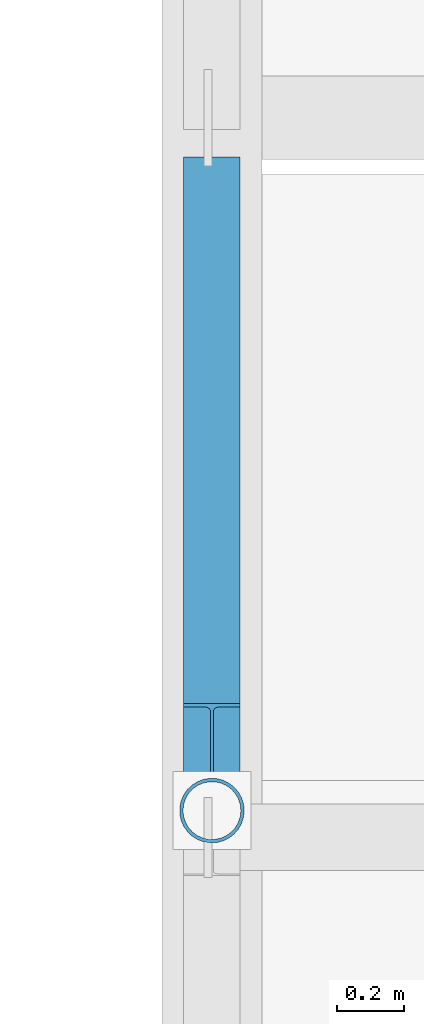
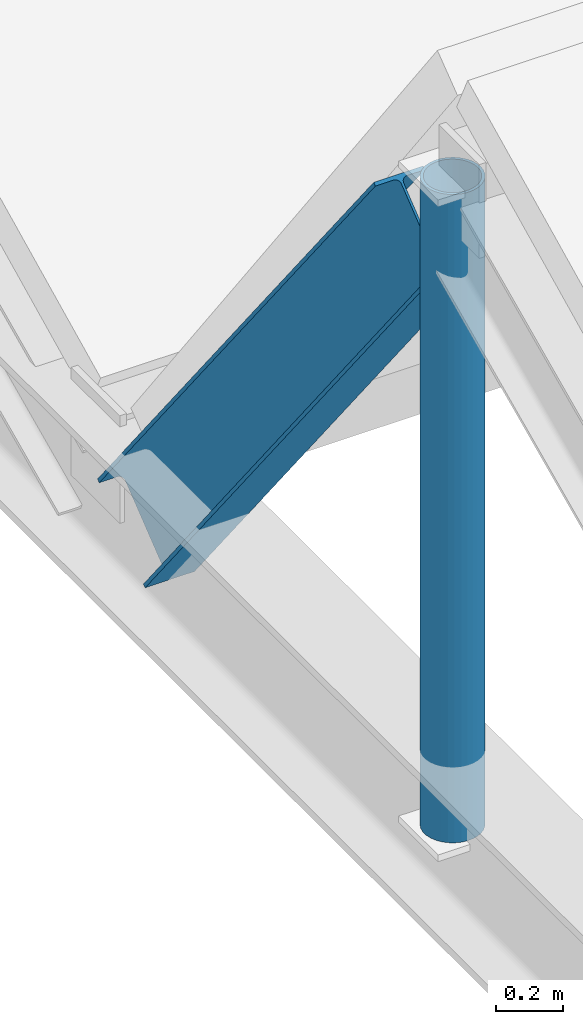
# One storey, part 72 of 138: 1 beam, 1 member.
"""IFC4 building model written with IfcOpenShell, lengths in metres."""

import ifcopenshell
import ifcopenshell.guid

model = None  # the IFC model being written
_history = None  # IfcOwnerHistory: only IFC2X3 demands one
_inside = {}  # id of a spatial element -> (the spatial element, [elements in it])
_under = {}  # id of a project, library or spatial element -> (it, [spatial elements below it])
_declared = {}  # id of a project -> (the project, [libraries it declares])
_typed = {}  # id of a type object -> (the type object, [elements of that type])
_made_of = {}  # id of a material, layer set ... -> (it, [elements and type objects made of it])


def new_model(schema):
    """Start an empty IFC model of exactly this schema.

    Asked for "IFC4X3", IfcOpenShell would pick the latest addendum, in which some entities
    have other attributes; the version numbers below select the first issue.
    IFC2X3 requires an IfcOwnerHistory on every rooted entity: one is made here for all.
    """
    global model, _history
    if schema == "IFC4X3":
        model = ifcopenshell.file(schema_version=(4, 3, 0, 0))
    else:
        model = ifcopenshell.file(schema=schema)
    _inside.clear()
    _under.clear()
    _declared.clear()
    _typed.clear()
    _made_of.clear()
    _history = None
    if model.schema == "IFC2X3":
        org = make("IfcOrganization", Name="unknown")
        user = make(
            "IfcPersonAndOrganization",
            ThePerson=make("IfcPerson", FamilyName="unknown"),
            TheOrganization=org,
        )
        app = make(
            "IfcApplication",
            ApplicationDeveloper=org,
            Version="unknown",
            ApplicationFullName="unknown",
            ApplicationIdentifier="unknown",
        )
        _history = make(
            "IfcOwnerHistory",
            OwningUser=user,
            OwningApplication=app,
            ChangeAction="ADDED",
            CreationDate=0,
        )
    return model


def make(cls, **values):
    """One entity of the class cls with the attributes given. An attribute that is None is left unset."""
    return model.create_entity(
        cls, **{name: value for name, value in values.items() if value is not None}
    )


def rooted(cls, **values):
    """An entity with a GlobalId (a new one), such as an element, a storey or a relation."""
    return make(cls, GlobalId=ifcopenshell.guid.new(), OwnerHistory=_history, **values)


def si_unit(unit_type, name, prefix=None):
    """IfcSIUnit, for example si_unit("LENGTHUNIT", "METRE", prefix="MILLI")."""
    return make("IfcSIUnit", UnitType=unit_type, Prefix=prefix, Name=name)


def assignment(units):
    """IfcUnitAssignment: the units of a project."""
    return None if units is None else make("IfcUnitAssignment", Units=units)


def point(xyz):
    """IfcCartesianPoint."""
    return None if xyz is None else make("IfcCartesianPoint", Coordinates=xyz)


def direction(xyz):
    """IfcDirection."""
    return None if xyz is None else make("IfcDirection", DirectionRatios=xyz)


def frame(location, z_axis=None, x_axis=None):
    """IfcAxis2Placement3D, a coordinate frame: its origin and axes. An axis left out is left unset."""
    return make(
        "IfcAxis2Placement3D",
        Location=point(location),
        Axis=direction(z_axis),
        RefDirection=direction(x_axis),
    )


def frame_2d(location, x_axis=None):
    """IfcAxis2Placement2D, a coordinate frame in the plane: its origin and x axis."""
    return make(
        "IfcAxis2Placement2D", Location=point(location), RefDirection=direction(x_axis)
    )


def origin():
    """The frame at (0, 0, 0) with its axes left unset."""
    return frame((0.0, 0.0, 0.0))


def origin_2d():
    """The frame at (0, 0) in the plane with its x axis left unset."""
    return frame_2d((0.0, 0.0))


def place(relative_to, where):
    """IfcLocalPlacement: puts the frame where relative to a parent placement (None: the world)."""
    return make(
        "IfcLocalPlacement", PlacementRelTo=relative_to, RelativePlacement=where
    )


def context(
    kind, dimensions, precision=None, world=None, true_north=None, identifier=None
):
    """IfcGeometricRepresentationContext, for example the 3D "Model" context."""
    return make(
        "IfcGeometricRepresentationContext",
        ContextIdentifier=identifier,
        ContextType=kind,
        CoordinateSpaceDimension=dimensions,
        Precision=precision,
        WorldCoordinateSystem=world,
        TrueNorth=true_north,
    )


def subcontext(parent, identifier, kind, view, scale=None):
    """IfcGeometricRepresentationSubContext, for example "Body" below "Model"."""
    return make(
        "IfcGeometricRepresentationSubContext",
        ContextIdentifier=identifier,
        ContextType=kind,
        ParentContext=parent,
        TargetScale=scale,
        TargetView=view,
    )


def project(units=None, contexts=None):
    """IfcProject with its units and contexts."""
    return rooted(
        "IfcProject",
        Name="project",
        RepresentationContexts=contexts,
        UnitsInContext=assignment(units),
    )


def spatial(cls, under=None, at=None, **own):
    """A site, building, storey or space (cls), placed at a placement, below another one or the project."""
    s = rooted(cls, ObjectPlacement=at, **own)
    if under is not None:
        _under.setdefault(under.id(), (under, []))[1].append(s)
    return s


def profile(cls, at=None, kind="AREA", **sizes):
    """A parametric profile (cls). Its sizes go by their IFC names, for example OverallWidth=200.0."""
    return make(cls, ProfileType=kind, Position=at, **sizes)


def hollow_circle(**sizes):
    """IfcCircleHollowProfileDef."""
    return profile("IfcCircleHollowProfileDef", **sizes)


def i_section(**sizes):
    """IfcIShapeProfileDef."""
    return profile("IfcIShapeProfileDef", **sizes)


def extrude(swept, where, along, depth):
    """IfcExtrudedAreaSolid: the profile swept, set in the frame where, extruded along a direction by depth."""
    return make(
        "IfcExtrudedAreaSolid",
        SweptArea=swept,
        Position=where,
        ExtrudedDirection=direction(along),
        Depth=depth,
    )


def shape(context_of_items, identifier, shape_type, items):
    """IfcShapeRepresentation: the items that make up one representation, for example the "Body"."""
    return make(
        "IfcShapeRepresentation",
        ContextOfItems=context_of_items,
        RepresentationIdentifier=identifier,
        RepresentationType=shape_type,
        Items=items,
    )


def material(Name=None, Category=None):
    """IfcMaterial."""
    return make("IfcMaterial", Name=Name, Category=Category)


def material_profile(
    of_material, cross_section, Name=None, Category=None, Priority=None
):
    """IfcMaterialProfile: a cross section and its material."""
    return make(
        "IfcMaterialProfile",
        Name=Name,
        Material=of_material,
        Profile=cross_section,
        Priority=Priority,
        Category=Category,
    )


def profile_set(profiles, Name=None, composite=None):
    """IfcMaterialProfileSet."""
    return make(
        "IfcMaterialProfileSet",
        Name=Name,
        MaterialProfiles=profiles,
        CompositeProfile=composite,
    )


def made_of(thing, what):
    """Note that an element or type object is made of a material, layer set ...; save() writes the relation."""
    if what is not None:
        _made_of.setdefault(what.id(), (what, []))[1].append(thing)
    return thing


def type_object(cls, material=None, **own):
    """A type object (cls), such as IfcWallType, which elements share."""
    return made_of(rooted(cls, **own), material)


def element(
    cls,
    number,
    at=None,
    inside=None,
    cuts=None,
    type_object=None,
    material=None,
    context=None,
    identifier="Body",
    shape_type=None,
    held_by="IfcProductDefinitionShape",
    body=None,
    shapes=None,
    **own,
):
    """One element of the class cls, such as IfcWall. Its Tag is "e" and its number.

    at: its placement. inside: the storey or other place that contains it. cuts: it is an
    opening in that element (IfcRelVoidsElement). A single representation is given by context,
    identifier, shape_type and body (its items); several are given by shapes. held_by: the class
    of the entity that holds the representations. save() writes the other relations.
    """
    e = rooted(cls, Tag="e%d" % number, ObjectPlacement=at, **own)
    if body is not None:
        shapes = [shape(context, identifier, shape_type, body)]
    if shapes is not None:
        e.Representation = make(held_by, Representations=shapes)
    if inside is not None:
        _inside.setdefault(inside.id(), (inside, []))[1].append(e)
    if cuts is not None:
        rooted(
            "IfcRelVoidsElement", RelatingBuildingElement=cuts, RelatedOpeningElement=e
        )
    if type_object is not None:
        _typed.setdefault(type_object.id(), (type_object, []))[1].append(e)
    return made_of(e, material)


def aggregate(whole, parts):
    """IfcRelAggregates: a whole, such as a stair, and the parts it consists of."""
    return rooted("IfcRelAggregates", RelatingObject=whole, RelatedObjects=parts)


def save(model, path):
    """Write the relations noted so far, then the file.

    IfcRelAggregates (storeys below a building ...), IfcRelContainedInSpatialStructure (elements
    in a storey), IfcRelDefinesByType, IfcRelAssociatesMaterial and IfcRelDeclares: one each for
    every whole, place, type object, material and project.
    """
    for whole, parts in _under.values():
        aggregate(whole, parts)
    for where, things in _inside.values():
        rooted(
            "IfcRelContainedInSpatialStructure",
            RelatedElements=things,
            RelatingStructure=where,
        )
    for kind, things in _typed.values():
        rooted("IfcRelDefinesByType", RelatedObjects=things, RelatingType=kind)
    for what, things in _made_of.values():
        rooted("IfcRelAssociatesMaterial", RelatedObjects=things, RelatingMaterial=what)
    for by, libraries in _declared.values():
        rooted("IfcRelDeclares", RelatingContext=by, RelatedDefinitions=libraries)
    model.write(path)


model = new_model("IFC4")

# Units and contexts
model_context = context("Model", 3, precision=1e-05, world=origin(), true_north=direction((0.0, 1.0)))
body_context = subcontext(model_context, "Body", "Model", "MODEL_VIEW")
ifc_project = project(units=[si_unit("LENGTHUNIT", "METRE"), si_unit("AREAUNIT", "SQUARE_METRE"), si_unit("VOLUMEUNIT", "CUBIC_METRE"), si_unit("PLANEANGLEUNIT", "RADIAN"), si_unit("MASSUNIT", "GRAM", prefix="KILO")], contexts=[model_context])

# Site, building, storey
site_placement = place(None, origin())
site = spatial("IfcSite", under=ifc_project, at=site_placement, CompositionType="ELEMENT")
building_placement = place(site_placement, origin())
building = spatial("IfcBuilding", under=site, at=building_placement, Name="Vinh Khe Railworks Police Headquarters", CompositionType="ELEMENT")
storey_placement = place(building_placement, frame((0.0, 0.0, 9.0)))
storey = spatial("IfcBuildingStorey", under=building, at=storey_placement, Name="L02", CompositionType="ELEMENT", Elevation=9.0)

# Member
ifc_material = material(Name="Steel S355JR", Category="steel")
ifc_material_profile_1 = material_profile(ifc_material, hollow_circle(Radius=0.096923828125, WallThickness=0.010009765625, at=origin_2d()), Name="CHS 193.7x10")
ifc_profile_set_1 = profile_set([ifc_material_profile_1], Name="Steel S355JR")
member_type = type_object("IfcMemberType", Name="Roof Strut CHS 193.7x10", PredefinedType="STRUT", material=ifc_profile_set_1)
member_placement = place(storey_placement, frame((26.39990234375, 157.300048828125, 0.199951171875), z_axis=(0.0, 0.0, 1.0), x_axis=(1.0, 0.0, 0.0)))
element("IfcMember", 1, at=member_placement, inside=storey, type_object=member_type, Name="Sawtooth Ridge Post 3", PredefinedType="STRUT", context=body_context, shape_type="SweptSolid", body=[
    extrude(hollow_circle(Radius=0.096923828125, WallThickness=0.010009765625, at=origin_2d()), origin(), (0.0, 0.0, 1.0), 2.35009765625),
])

# Beam
ifc_material_profile_2 = material_profile(ifc_material, i_section(OverallWidth=0.169921875, OverallDepth=0.360107421875, WebThickness=0.008056640625, FlangeThickness=0.0126953125, FilletRadius=0.01806640625, at=origin_2d()), Name="IPE 360")
ifc_profile_set_2 = profile_set([ifc_material_profile_2], Name="Steel S355JR")
beam_type = type_object("IfcBeamType", Name="Steel Girder IPE 360", PredefinedType="BEAM", material=ifc_profile_set_2)
beam_placement = place(storey_placement, frame((26.39990234375, 157.47998046875, 2.25), z_axis=(0.0, 0.621013068577, -0.783800209656), x_axis=(-1.0, 0.0, 0.0)))
element("IfcBeam", 2, at=beam_placement, inside=storey, type_object=beam_type, Name="Sawtooth Clerestory Girder 3N", PredefinedType="BEAM", context=body_context, shape_type="SweptSolid", body=[
    extrude(i_section(OverallWidth=0.169921875, OverallDepth=0.360107421875, WebThickness=0.008056640625, FlangeThickness=0.0126953125, FilletRadius=0.01806640625, at=origin_2d()), origin(), (0.0, 0.0, 1.0), 2.64111328125),
])

save(model, "model.ifc")
